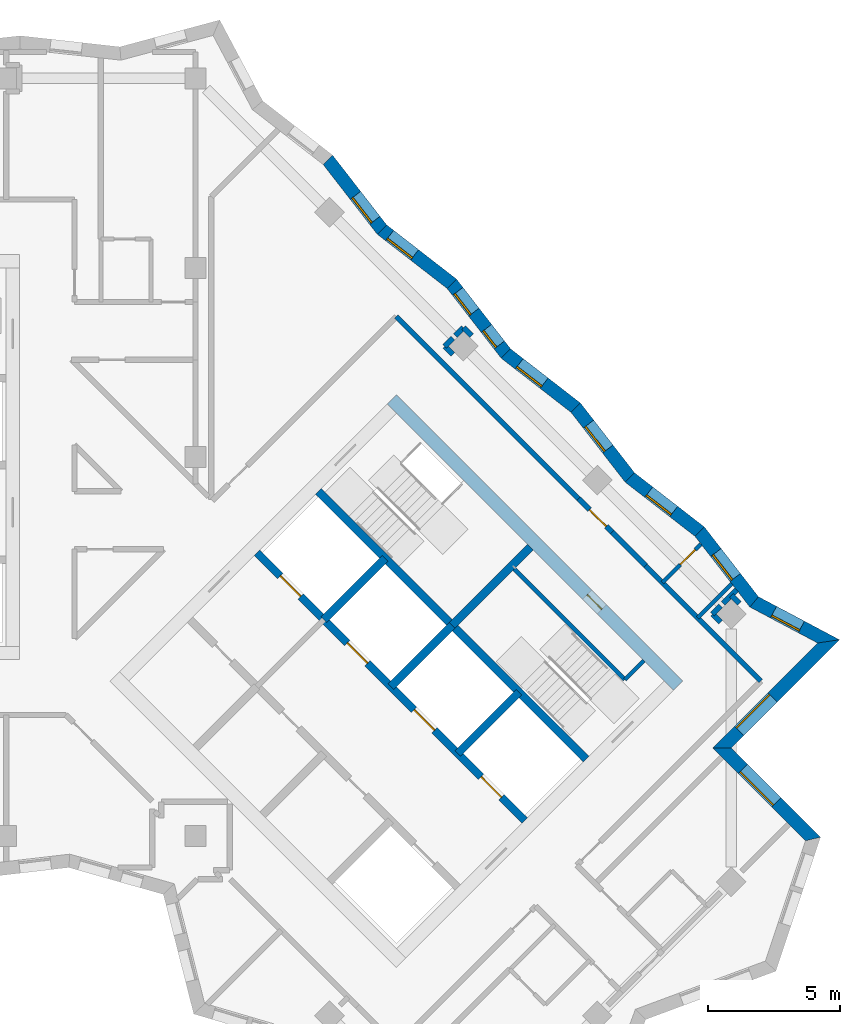
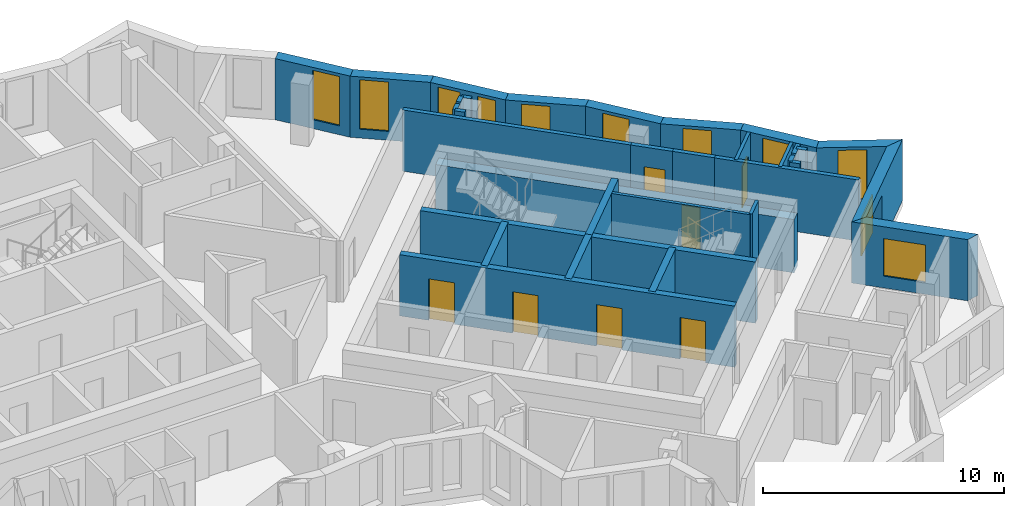
# One storey, part 9 of 13: 34 walls, 11 windows, 7 doors, 18 openings.
"""IFC4 building model written with IfcOpenShell, lengths in metres."""

from ifc_helpers import new_model, si_unit, direction, frame, frame_2d, origin, place, context, subcontext, project, spatial, polyline, rectangle, outline, extrude, material, layer, layer_set, type_object, element, fill, save


model = new_model("IFC4")

# Units and contexts
model_context = context("Model", 3, precision=1e-05, world=origin(), true_north=direction((0.0, 1.0)))
body_context = subcontext(model_context, "Body", "Model", "MODEL_VIEW")
ifc_project = project(units=[si_unit("LENGTHUNIT", "METRE"), si_unit("AREAUNIT", "SQUARE_METRE"), si_unit("VOLUMEUNIT", "CUBIC_METRE"), si_unit("PLANEANGLEUNIT", "RADIAN"), si_unit("MASSUNIT", "GRAM", prefix="KILO")], contexts=[model_context])

# Site, building, storey
site_placement = place(None, origin())
site = spatial("IfcSite", under=ifc_project, at=site_placement, CompositionType="ELEMENT")
building_placement = place(site_placement, origin())
building = spatial("IfcBuilding", under=site, at=building_placement, Name="Windrow Commons", CompositionType="ELEMENT")
storey_placement = place(building_placement, frame((0.0, 0.0, 203.2)))
storey = spatial("IfcBuildingStorey", under=building, at=storey_placement, Name="L55", CompositionType="ELEMENT", Elevation=203.2)

# Wall, opening, window
ifc_material_1 = material(Name="Brick masonry, red clay brick", Category="masonry")
ifc_layer_1 = layer(ifc_material_1, 0.5)
ifc_layer_set_1 = layer_set([ifc_layer_1], Name="Brick facade wall 500")
wall_type_1 = type_object("IfcWallType", Name="Brick facade wall 500", PredefinedType="SOLIDWALL", material=ifc_layer_set_1)
wall_1_placement = place(storey_placement, frame((102.6728, 43.0825, 0.0), z_axis=(0.0, 0.0, 1.0), x_axis=(-0.7071067812, 0.7071067812, 0.0)))
wall_1 = element("IfcWall", 1, at=wall_1_placement, inside=storey, type_object=wall_type_1, Name="Brick facade wall L55 5", PredefinedType="SOLIDWALL", context=body_context, shape_type="SweptSolid", body=[
    extrude(outline(polyline([(-0.1545, -0.25), (4.6455, -0.25), (5.1455, 0.25), (0.1545, 0.25), (-0.1545, -0.25)])), origin(), (0.0, 0.0, 1.0), 3.1),
])
opening_1_placement = place(wall_1_placement, frame((1.9705, 0.0, 0.6)))
opening_1 = element("IfcOpeningElement", 2, at=opening_1_placement, cuts=wall_1, Name="Opening W1L", PredefinedType="OPENING", context=body_context, shape_type="SweptSolid", body=[
    extrude(rectangle(XDim=1.8, YDim=1.9, at=frame_2d((0.9, 0.95))), frame((0.0, 0.26, 0.0), z_axis=(0.0, -1.0, 0.0), x_axis=(1.0, 0.0, 0.0)), (0.0, 0.0, 1.0), 0.52),
])
ifc_material_2 = material(Name="Clear float glass in anodised aluminium frame", Category="aluminium")
window_type_1 = type_object("IfcWindowType", Name="Window W1L bedroom 1800x1900", PartitioningType="SINGLE_PANEL", PredefinedType="WINDOW", material=ifc_material_2)
window_1_placement = place(opening_1_placement, origin())
window_1 = element("IfcWindow", 3, at=window_1_placement, inside=storey, type_object=window_type_1, Name="Window L55 5.1", OverallHeight=1.9, OverallWidth=1.8, PartitioningType="SINGLE_PANEL", PredefinedType="WINDOW", context=body_context, shape_type="SweptSolid", body=[
    extrude(rectangle(XDim=1.8, YDim=1.9, at=frame_2d((0.9, 0.95))), frame((0.0, 0.18, 0.0), z_axis=(0.0, -1.0, 0.0), x_axis=(1.0, 0.0, 0.0)), (0.0, 0.0, 1.0), 0.06),
])
fill(opening_1, window_1)

wall_2_placement = place(storey_placement, frame((99.2111, 46.5442, 0.0), z_axis=(0.0, 0.0, 1.0), x_axis=(0.7071067812, 0.7071067812, 0.0)))
wall_2 = element("IfcWall", 4, at=wall_2_placement, inside=storey, type_object=wall_type_1, Name="Brick facade wall L55 6", PredefinedType="SOLIDWALL", context=body_context, shape_type="SweptSolid", body=[
    extrude(outline(polyline([(0.25, -0.25), (6.071, -0.25), (5.3948, 0.25), (-0.25, 0.25), (0.25, -0.25)])), origin(), (0.0, 0.0, 1.0), 3.1),
])
opening_2_placement = place(wall_2_placement, frame((0.925, 0.0, 0.6)))
opening_2 = element("IfcOpeningElement", 5, at=opening_2_placement, cuts=wall_2, Name="Opening W1L", PredefinedType="OPENING", context=body_context, shape_type="SweptSolid", body=[
    extrude(rectangle(XDim=1.8, YDim=1.9, at=frame_2d((0.9, 0.95))), frame((0.0, 0.26, 0.0), z_axis=(0.0, -1.0, 0.0), x_axis=(1.0, 0.0, 0.0)), (0.0, 0.0, 1.0), 0.52),
])
window_2_placement = place(opening_2_placement, origin())
window_2 = element("IfcWindow", 6, at=window_2_placement, inside=storey, type_object=window_type_1, Name="Window L55 6.1", OverallHeight=1.9, OverallWidth=1.8, PartitioningType="SINGLE_PANEL", PredefinedType="WINDOW", context=body_context, shape_type="SweptSolid", body=[
    extrude(rectangle(XDim=1.8, YDim=1.9, at=frame_2d((0.9, 0.95))), frame((0.0, 0.18, 0.0), z_axis=(0.0, -1.0, 0.0), x_axis=(1.0, 0.0, 0.0)), (0.0, 0.0, 1.0), 0.06),
])
fill(opening_2, window_2)

wall_3_placement = place(storey_placement, frame((103.2649, 50.598, 0.0), z_axis=(0.0, 0.0, 1.0), x_axis=(-0.883249994, 0.4689023865, 0.0)))
wall_3 = element("IfcWall", 7, at=wall_3_placement, inside=storey, type_object=wall_type_1, Name="Brick facade wall L55 7", PredefinedType="SOLIDWALL", context=body_context, shape_type="SweptSolid", body=[
    extrude(outline(polyline([(-0.3381, -0.25), (3.1468, -0.25), (3.2542, 0.25), (0.3381, 0.25), (-0.3381, -0.25)])), origin(), (0.0, 0.0, 1.0), 3.1),
])
opening_3_placement = place(wall_3_placement, frame((1.1693, 0.0, 0.45)))
opening_3 = element("IfcOpeningElement", 8, at=opening_3_placement, cuts=wall_3, Name="Opening W7E", PredefinedType="OPENING", context=body_context, shape_type="SweptSolid", body=[
    extrude(rectangle(XDim=1.2, YDim=2.5, at=frame_2d((0.6, 1.25))), frame((0.0, 0.26, 0.0), z_axis=(0.0, -1.0, 0.0), x_axis=(1.0, 0.0, 0.0)), (0.0, 0.0, 1.0), 0.52),
])
ifc_material_3 = material(Name="Clear float glass in anodised aluminium frame", Category="aluminium")
window_type_2 = type_object("IfcWindowType", Name="Window W7 notch 1200x2500", PartitioningType="SINGLE_PANEL", PredefinedType="WINDOW", material=ifc_material_3)
window_3_placement = place(opening_3_placement, origin())
window_3 = element("IfcWindow", 9, at=window_3_placement, inside=storey, type_object=window_type_2, Name="Window L55 7.1", OverallHeight=2.5, OverallWidth=1.2, PartitioningType="SINGLE_PANEL", PredefinedType="WINDOW", context=body_context, shape_type="SweptSolid", body=[
    extrude(rectangle(XDim=1.2, YDim=2.5, at=frame_2d((0.6, 1.25))), frame((0.0, 0.18, 0.0), z_axis=(0.0, -1.0, 0.0), x_axis=(1.0, 0.0, 0.0)), (0.0, 0.0, 1.0), 0.06),
])
fill(opening_3, window_3)

wall_4_placement = place(storey_placement, frame((100.4381, 52.0987, 0.0), z_axis=(0.0, 0.0, 1.0), x_axis=(-0.6128751624, 0.7901797487, 0.0)))
wall_4 = element("IfcWall", 10, at=wall_4_placement, inside=storey, type_object=wall_type_1, Name="Brick facade wall L55 8", PredefinedType="SOLIDWALL", context=body_context, shape_type="SweptSolid", body=[
    extrude(outline(polyline([(0.0537, -0.25), (3.4122, -0.25), (3.349, 0.25), (-0.0537, 0.25), (0.0537, -0.25)])), origin(), (0.0, 0.0, 1.0), 3.1),
])
opening_4_placement = place(wall_4_placement, frame((1.1745, 0.0, 0.45)))
opening_4 = element("IfcOpeningElement", 11, at=opening_4_placement, cuts=wall_4, Name="Opening W7E", PredefinedType="OPENING", context=body_context, shape_type="SweptSolid", body=[
    extrude(rectangle(XDim=1.2, YDim=2.5, at=frame_2d((0.6, 1.25))), frame((0.0, 0.26, 0.0), z_axis=(0.0, -1.0, 0.0), x_axis=(1.0, 0.0, 0.0)), (0.0, 0.0, 1.0), 0.52),
])
window_4_placement = place(opening_4_placement, origin())
window_4 = element("IfcWindow", 12, at=window_4_placement, inside=storey, type_object=window_type_2, Name="Window L55 8.1", OverallHeight=2.5, OverallWidth=1.2, PartitioningType="SINGLE_PANEL", PredefinedType="WINDOW", context=body_context, shape_type="SweptSolid", body=[
    extrude(rectangle(XDim=1.2, YDim=2.5, at=frame_2d((0.6, 1.25))), frame((0.0, 0.18, 0.0), z_axis=(0.0, -1.0, 0.0), x_axis=(1.0, 0.0, 0.0)), (0.0, 0.0, 1.0), 0.06),
])
fill(opening_4, window_4)

wall_5_placement = place(storey_placement, frame((98.3662, 54.77, 0.0), z_axis=(0.0, 0.0, 1.0), x_axis=(-0.7901836045, 0.6128701911, 0.0)))
wall_5 = element("IfcWall", 13, at=wall_5_placement, inside=storey, type_object=wall_type_1, Name="Brick facade wall L55 9", PredefinedType="SOLIDWALL", context=body_context, shape_type="SweptSolid", body=[
    extrude(outline(polyline([(-0.0316, -0.25), (3.3269, -0.25), (3.3901, 0.25), (0.0316, 0.25), (-0.0316, -0.25)])), origin(), (0.0, 0.0, 1.0), 3.1),
])
opening_5_placement = place(wall_5_placement, frame((1.2494, 0.0, 0.45)))
opening_5 = element("IfcOpeningElement", 14, at=opening_5_placement, cuts=wall_5, Name="Opening W7E", PredefinedType="OPENING", context=body_context, shape_type="SweptSolid", body=[
    extrude(rectangle(XDim=1.2, YDim=2.5, at=frame_2d((0.6, 1.25))), frame((0.0, 0.26, 0.0), z_axis=(0.0, -1.0, 0.0), x_axis=(1.0, 0.0, 0.0)), (0.0, 0.0, 1.0), 0.52),
])
window_5_placement = place(opening_5_placement, origin())
window_5 = element("IfcWindow", 15, at=window_5_placement, inside=storey, type_object=window_type_2, Name="Window L55 9.1", OverallHeight=2.5, OverallWidth=1.2, PartitioningType="SINGLE_PANEL", PredefinedType="WINDOW", context=body_context, shape_type="SweptSolid", body=[
    extrude(rectangle(XDim=1.2, YDim=2.5, at=frame_2d((0.6, 1.25))), frame((0.0, 0.18, 0.0), z_axis=(0.0, -1.0, 0.0), x_axis=(1.0, 0.0, 0.0)), (0.0, 0.0, 1.0), 0.06),
])
fill(opening_5, window_5)

wall_6_placement = place(storey_placement, frame((95.7124, 56.8283, 0.0), z_axis=(0.0, 0.0, 1.0), x_axis=(-0.6128887822, 0.7901691849, 0.0)))
wall_6 = element("IfcWall", 16, at=wall_6_placement, inside=storey, type_object=wall_type_1, Name="Brick facade wall L55 10", PredefinedType="SOLIDWALL", context=body_context, shape_type="SweptSolid", body=[
    extrude(outline(polyline([(0.0316, -0.25), (3.3901, -0.25), (3.3269, 0.25), (-0.0316, 0.25), (0.0316, -0.25)])), origin(), (0.0, 0.0, 1.0), 3.1),
])
opening_6_placement = place(wall_6_placement, frame((1.3686, 0.0, 0.45)))
opening_6 = element("IfcOpeningElement", 17, at=opening_6_placement, cuts=wall_6, Name="Opening W7E", PredefinedType="OPENING", context=body_context, shape_type="SweptSolid", body=[
    extrude(rectangle(XDim=1.2, YDim=2.5, at=frame_2d((0.6, 1.25))), frame((0.0, 0.26, 0.0), z_axis=(0.0, -1.0, 0.0), x_axis=(1.0, 0.0, 0.0)), (0.0, 0.0, 1.0), 0.52),
])
window_6_placement = place(opening_6_placement, origin())
window_6 = element("IfcWindow", 18, at=window_6_placement, inside=storey, type_object=window_type_2, Name="Window L55 10.1", OverallHeight=2.5, OverallWidth=1.2, PartitioningType="SINGLE_PANEL", PredefinedType="WINDOW", context=body_context, shape_type="SweptSolid", body=[
    extrude(rectangle(XDim=1.2, YDim=2.5, at=frame_2d((0.6, 1.25))), frame((0.0, 0.18, 0.0), z_axis=(0.0, -1.0, 0.0), x_axis=(1.0, 0.0, 0.0)), (0.0, 0.0, 1.0), 0.06),
])
fill(opening_6, window_6)

wall_7_placement = place(storey_placement, frame((93.654, 59.4821, 0.0), z_axis=(0.0, 0.0, 1.0), x_axis=(-0.7901691849, 0.6128887822, 0.0)))
wall_7 = element("IfcWall", 19, at=wall_7_placement, inside=storey, type_object=wall_type_1, Name="Brick facade wall L55 11", PredefinedType="SOLIDWALL", context=body_context, shape_type="SweptSolid", body=[
    extrude(outline(polyline([(-0.0316, -0.25), (3.3269, -0.25), (3.3901, 0.25), (0.0316, 0.25), (-0.0316, -0.25)])), origin(), (0.0, 0.0, 1.0), 3.1),
])
opening_7_placement = place(wall_7_placement, frame((1.5195, 0.0, 0.45)))
opening_7 = element("IfcOpeningElement", 20, at=opening_7_placement, cuts=wall_7, Name="Opening W7E", PredefinedType="OPENING", context=body_context, shape_type="SweptSolid", body=[
    extrude(rectangle(XDim=1.2, YDim=2.5, at=frame_2d((0.6, 1.25))), frame((0.0, 0.26, 0.0), z_axis=(0.0, -1.0, 0.0), x_axis=(1.0, 0.0, 0.0)), (0.0, 0.0, 1.0), 0.52),
])
window_7_placement = place(opening_7_placement, origin())
window_7 = element("IfcWindow", 21, at=window_7_placement, inside=storey, type_object=window_type_2, Name="Window L55 11.1", OverallHeight=2.5, OverallWidth=1.2, PartitioningType="SINGLE_PANEL", PredefinedType="WINDOW", context=body_context, shape_type="SweptSolid", body=[
    extrude(rectangle(XDim=1.2, YDim=2.5, at=frame_2d((0.6, 1.25))), frame((0.0, 0.18, 0.0), z_axis=(0.0, -1.0, 0.0), x_axis=(1.0, 0.0, 0.0)), (0.0, 0.0, 1.0), 0.06),
])
fill(opening_7, window_7)

# Wall, openings, windows
wall_8_placement = place(storey_placement, frame((91.0002, 61.5405, 0.0), z_axis=(0.0, 0.0, 1.0), x_axis=(-0.6128701911, 0.7901836045, 0.0)))
wall_8 = element("IfcWall", 22, at=wall_8_placement, inside=storey, type_object=wall_type_1, Name="Brick facade wall L55 12", PredefinedType="SOLIDWALL", context=body_context, shape_type="SweptSolid", body=[
    extrude(outline(polyline([(0.0316, -0.25), (3.3901, -0.25), (3.3269, 0.25), (-0.0316, 0.25), (0.0316, -0.25)])), origin(), (0.0, 0.0, 1.0), 3.1),
])
opening_8_placement = place(wall_8_placement, frame((0.4105, 0.0, 0.45)))
opening_8 = element("IfcOpeningElement", 23, at=opening_8_placement, cuts=wall_8, Name="Opening W1N", PredefinedType="OPENING", context=body_context, shape_type="SweptSolid", body=[
    extrude(rectangle(XDim=0.8, YDim=2.5, at=frame_2d((0.4, 1.25))), frame((0.0, 0.26, 0.0), z_axis=(0.0, -1.0, 0.0), x_axis=(1.0, 0.0, 0.0)), (0.0, 0.0, 1.0), 0.52),
])
opening_9_placement = place(wall_8_placement, frame((1.9897, 0.0, 0.45)))
opening_9 = element("IfcOpeningElement", 24, at=opening_9_placement, cuts=wall_8, Name="Opening W1S", PredefinedType="OPENING", context=body_context, shape_type="SweptSolid", body=[
    extrude(rectangle(XDim=1.0, YDim=2.5, at=frame_2d((0.5, 1.25))), frame((0.0, 0.26, 0.0), z_axis=(0.0, -1.0, 0.0), x_axis=(1.0, 0.0, 0.0)), (0.0, 0.0, 1.0), 0.52),
])
ifc_material_4 = material(Name="Clear float glass in anodised aluminium frame", Category="aluminium")
window_type_3 = type_object("IfcWindowType", Name="Window W1N slit 800x2500", PartitioningType="SINGLE_PANEL", PredefinedType="WINDOW", material=ifc_material_4)
window_8_placement = place(opening_8_placement, origin())
window_8 = element("IfcWindow", 25, at=window_8_placement, inside=storey, type_object=window_type_3, Name="Window L55 12.1A", OverallHeight=2.5, OverallWidth=0.8, PartitioningType="SINGLE_PANEL", PredefinedType="WINDOW", context=body_context, shape_type="SweptSolid", body=[
    extrude(rectangle(XDim=0.8, YDim=2.5, at=frame_2d((0.4, 1.25))), frame((0.0, 0.18, 0.0), z_axis=(0.0, -1.0, 0.0), x_axis=(1.0, 0.0, 0.0)), (0.0, 0.0, 1.0), 0.06),
])
fill(opening_8, window_8)
ifc_material_5 = material(Name="Clear float glass in anodised aluminium frame", Category="aluminium")
window_type_4 = type_object("IfcWindowType", Name="Window W1S slit 1000x2500", PartitioningType="SINGLE_PANEL", PredefinedType="WINDOW", material=ifc_material_5)
window_9_placement = place(opening_9_placement, origin())
window_9 = element("IfcWindow", 26, at=window_9_placement, inside=storey, type_object=window_type_4, Name="Window L55 12.1B", OverallHeight=2.5, OverallWidth=1.0, PartitioningType="SINGLE_PANEL", PredefinedType="WINDOW", context=body_context, shape_type="SweptSolid", body=[
    extrude(rectangle(XDim=1.0, YDim=2.5, at=frame_2d((0.5, 1.25))), frame((0.0, 0.18, 0.0), z_axis=(0.0, -1.0, 0.0), x_axis=(1.0, 0.0, 0.0)), (0.0, 0.0, 1.0), 0.06),
])
fill(opening_9, window_9)

# Wall, opening, window
wall_9_placement = place(storey_placement, frame((88.9419, 64.1943, 0.0), z_axis=(0.0, 0.0, 1.0), x_axis=(-0.7901836045, 0.6128701911, 0.0)))
wall_9 = element("IfcWall", 27, at=wall_9_placement, inside=storey, type_object=wall_type_1, Name="Brick facade wall L55 13", PredefinedType="SOLIDWALL", context=body_context, shape_type="SweptSolid", body=[
    extrude(outline(polyline([(-0.0316, -0.25), (3.3269, -0.25), (3.3901, 0.25), (0.0316, 0.25), (-0.0316, -0.25)])), origin(), (0.0, 0.0, 1.0), 3.1),
])
opening_10_placement = place(wall_9_placement, frame((1.7897, 0.0, 0.45)))
opening_10 = element("IfcOpeningElement", 28, at=opening_10_placement, cuts=wall_9, Name="Opening W7E", PredefinedType="OPENING", context=body_context, shape_type="SweptSolid", body=[
    extrude(rectangle(XDim=1.2, YDim=2.5, at=frame_2d((0.6, 1.25))), frame((0.0, 0.26, 0.0), z_axis=(0.0, -1.0, 0.0), x_axis=(1.0, 0.0, 0.0)), (0.0, 0.0, 1.0), 0.52),
])
window_10_placement = place(opening_10_placement, origin())
window_10 = element("IfcWindow", 29, at=window_10_placement, inside=storey, type_object=window_type_2, Name="Window L55 13.1", OverallHeight=2.5, OverallWidth=1.2, PartitioningType="SINGLE_PANEL", PredefinedType="WINDOW", context=body_context, shape_type="SweptSolid", body=[
    extrude(rectangle(XDim=1.2, YDim=2.5, at=frame_2d((0.6, 1.25))), frame((0.0, 0.18, 0.0), z_axis=(0.0, -1.0, 0.0), x_axis=(1.0, 0.0, 0.0)), (0.0, 0.0, 1.0), 0.06),
])
fill(opening_10, window_10)

wall_10_placement = place(storey_placement, frame((86.2881, 66.2526, 0.0), z_axis=(0.0, 0.0, 1.0), x_axis=(-0.6128887822, 0.7901691849, 0.0)))
wall_10 = element("IfcWall", 30, at=wall_10_placement, inside=storey, type_object=wall_type_1, Name="Brick facade wall L55 14", PredefinedType="SOLIDWALL", context=body_context, shape_type="SweptSolid", body=[
    extrude(outline(polyline([(0.0316, -0.25), (3.3901, -0.25), (3.3269, 0.25), (-0.0316, 0.25), (0.0316, -0.25)])), origin(), (0.0, 0.0, 1.0), 3.1),
])
opening_11_placement = place(wall_10_placement, frame((0.4455, 0.0, 0.45)))
opening_11 = element("IfcOpeningElement", 31, at=opening_11_placement, cuts=wall_10, Name="Opening W7E", PredefinedType="OPENING", context=body_context, shape_type="SweptSolid", body=[
    extrude(rectangle(XDim=1.2, YDim=2.5, at=frame_2d((0.6, 1.25))), frame((0.0, 0.26, 0.0), z_axis=(0.0, -1.0, 0.0), x_axis=(1.0, 0.0, 0.0)), (0.0, 0.0, 1.0), 0.52),
])
window_11_placement = place(opening_11_placement, origin())
window_11 = element("IfcWindow", 32, at=window_11_placement, inside=storey, type_object=window_type_2, Name="Window L55 14.1", OverallHeight=2.5, OverallWidth=1.2, PartitioningType="SINGLE_PANEL", PredefinedType="WINDOW", context=body_context, shape_type="SweptSolid", body=[
    extrude(rectangle(XDim=1.2, YDim=2.5, at=frame_2d((0.6, 1.25))), frame((0.0, 0.18, 0.0), z_axis=(0.0, -1.0, 0.0), x_axis=(1.0, 0.0, 0.0)), (0.0, 0.0, 1.0), 0.06),
])
fill(opening_11, window_11)

# Walls
ifc_material_6 = material(Name="Blockwork partition", Category="masonry")
ifc_layer_2 = layer(ifc_material_6, 0.2)
ifc_layer_set_2 = layer_set([ifc_layer_2], Name="IW-CORRIDOR-200")
wall_type_2 = type_object("IfcWallType", Name="IW-CORRIDOR-200", PredefinedType="PARTITIONING", material=ifc_layer_set_2)
wall_11_placement = place(storey_placement, frame((86.8347, 62.9447, 0.0), z_axis=(0.0, 0.0, 1.0), x_axis=(0.7071067812, -0.7071067812, 0.0)))
element("IfcWall", 33, at=wall_11_placement, inside=storey, type_object=wall_type_2, Name="W-L55-W011", PredefinedType="PARTITIONING", context=body_context, shape_type="SweptSolid", body=[
    extrude(rectangle(XDim=9.7977, YDim=0.2, at=frame_2d((4.8989, 0.0))), origin(), (0.0, 0.0, 1.0), 3.1),
])
wall_12_placement = place(storey_placement, frame((96.3087, 53.4707, 0.0), z_axis=(0.0, 0.0, 1.0), x_axis=(0.7071067812, -0.7071067812, 0.0)))
element("IfcWall", 34, at=wall_12_placement, inside=storey, type_object=wall_type_2, Name="W-L55-W025", PredefinedType="PARTITIONING", context=body_context, shape_type="SweptSolid", body=[
    extrude(rectangle(XDim=6.1999, YDim=0.2, at=frame_2d((3.1, 0.0))), origin(), (0.0, 0.0, 1.0), 3.1),
])

# Wall, opening, door
wall_13_placement = place(storey_placement, frame((93.7634, 56.0174, 0.0), z_axis=(0.0, 0.0, 1.0), x_axis=(0.7076620277, -0.7065510983, 0.0)))
wall_13 = element("IfcWall", 35, at=wall_13_placement, inside=storey, type_object=wall_type_2, Name="W-L55-W122", PredefinedType="PARTITIONING", context=body_context, shape_type="SweptSolid", body=[
    extrude(rectangle(XDim=1.8003, YDim=0.2, at=frame_2d((0.9002, 0.0))), origin(), (0.0, 0.0, 1.0), 3.1),
])
opening_12_placement = place(wall_13_placement, frame((0.5851, 0.0, 0.0)))
opening_12 = element("IfcOpeningElement", 36, at=opening_12_placement, cuts=wall_13, Name="Opening D109F", PredefinedType="OPENING", context=body_context, shape_type="SweptSolid", body=[
    extrude(rectangle(XDim=0.9, YDim=2.1, at=frame_2d((0.45, 1.05))), frame((0.0, 0.11, 0.0), z_axis=(0.0, -1.0, 0.0), x_axis=(1.0, 0.0, 0.0)), (0.0, 0.0, 1.0), 0.22),
])
ifc_material_7 = material(Name="Timber door leaf", Category="wood")
door_type_1 = type_object("IfcDoorType", Name="DT-BEDROOM-900", OperationType="SINGLE_SWING_LEFT", PredefinedType="DOOR", material=ifc_material_7)
door_1_placement = place(opening_12_placement, origin())
door_1 = element("IfcDoor", 37, at=door_1_placement, inside=storey, type_object=door_type_1, Name="D-L55-D044", OperationType="SINGLE_SWING_LEFT", OverallHeight=2.1, OverallWidth=0.9, PredefinedType="DOOR", context=body_context, shape_type="SweptSolid", body=[
    extrude(rectangle(XDim=0.9, YDim=2.1, at=frame_2d((0.45, 1.05))), frame((0.0, 0.025, 0.0), z_axis=(0.0, -1.0, 0.0), x_axis=(1.0, 0.0, 0.0)), (0.0, 0.0, 1.0), 0.05),
])
fill(opening_12, door_1)

# Wall
wall_14_placement = place(storey_placement, frame((95.0411, 54.7491, 0.0), z_axis=(0.0, 0.0, 1.0), x_axis=(0.7065510983, -0.7076620277, 0.0)))
element("IfcWall", 38, at=wall_14_placement, inside=storey, type_object=wall_type_2, Name="W-L55-W123", PredefinedType="PARTITIONING", context=body_context, shape_type="SweptSolid", body=[
    extrude(rectangle(XDim=1.8003, YDim=0.2, at=frame_2d((0.9002, 0.0))), origin(), (0.0, 0.0, 1.0), 3.1),
])

# Wall, opening, door
ifc_material_8 = material(Name="Blockwork partition", Category="masonry")
ifc_layer_3 = layer(ifc_material_8, 0.15)
ifc_layer_set_3 = layer_set([ifc_layer_3], Name="IW-ENSUITE-150")
wall_type_3 = type_object("IfcWallType", Name="IW-ENSUITE-150", PredefinedType="PARTITIONING", material=ifc_layer_set_3)
wall_15_placement = place(storey_placement, frame((96.9477, 52.8383, 0.0), z_axis=(0.0, 0.0, 1.0), x_axis=(0.7070826384, 0.7071309232, 0.0)))
wall_15 = element("IfcWall", 39, at=wall_15_placement, inside=storey, type_object=wall_type_3, Name="W-L55-W107", PredefinedType="PARTITIONING", context=body_context, shape_type="SweptSolid", body=[
    extrude(rectangle(XDim=2.071, YDim=0.15, at=frame_2d((1.0355, 0.0))), origin(), (0.0, 0.0, 1.0), 3.1),
])
opening_13_placement = place(wall_15_placement, frame((0.9647, 0.0, 0.0)))
opening_13 = element("IfcOpeningElement", 40, at=opening_13_placement, cuts=wall_15, Name="Opening D208N", PredefinedType="OPENING", context=body_context, shape_type="SweptSolid", body=[
    extrude(rectangle(XDim=0.8, YDim=2.1, at=frame_2d((0.4, 1.05))), frame((0.0, 0.085, 0.0), z_axis=(0.0, -1.0, 0.0), x_axis=(1.0, 0.0, 0.0)), (0.0, 0.0, 1.0), 0.17),
])
ifc_material_9 = material(Name="Timber door leaf", Category="wood")
door_type_2 = type_object("IfcDoorType", Name="DT-ENSUITE-800", OperationType="SINGLE_SWING_LEFT", PredefinedType="DOOR", material=ifc_material_9)
door_2_placement = place(opening_13_placement, origin())
door_2 = element("IfcDoor", 41, at=door_2_placement, inside=storey, type_object=door_type_2, Name="D-L55-D045", OperationType="SINGLE_SWING_RIGHT", OverallHeight=2.1, OverallWidth=0.8, PredefinedType="DOOR", context=body_context, shape_type="SweptSolid", body=[
    extrude(rectangle(XDim=0.8, YDim=2.1, at=frame_2d((0.4, 1.05))), frame((0.0, 0.025, 0.0), z_axis=(0.0, -1.0, 0.0), x_axis=(1.0, 0.0, 0.0)), (0.0, 0.0, 1.0), 0.05),
])
fill(opening_13, door_2)

# Walls
wall_16_placement = place(storey_placement, frame((98.2912, 51.4948, 0.0), z_axis=(0.0, 0.0, 1.0), x_axis=(0.7071067812, 0.7071067812, 0.0)))
element("IfcWall", 42, at=wall_16_placement, inside=storey, type_object=wall_type_3, Name="W-L55-W128", PredefinedType="PARTITIONING", context=body_context, shape_type="SweptSolid", body=[
    extrude(rectangle(XDim=1.831, YDim=0.15, at=frame_2d((0.9155, 0.0))), origin(), (0.0, 0.0, 1.0), 3.1),
])
ifc_material_10 = material(Name="Blockwork partition", Category="masonry")
ifc_layer_4 = layer(ifc_material_10, 0.2)
ifc_layer_set_4 = layer_set([ifc_layer_4], Name="IW-PARTY-200")
wall_type_4 = type_object("IfcWallType", Name="IW-PARTY-200", PredefinedType="PARTITIONING", material=ifc_layer_set_4)
for number, where, z_axis, x_axis, name in (
    (43, (98.8533, 51.6327, 0.0), (0.0, 0.0, 1.0), (0.7071067812, 0.7071067812, 0.0), "W-L55-W171"),
    (44, (88.671, 61.815, 0.0), (0.0, 0.0, 1.0), (0.7071067812, 0.7071067812, 0.0), "W-L55-W172"),
    (45, (88.6722, 61.8142, 0.0), (0.0, 0.0, 1.0), (0.7071067812, -0.7071067812, 0.0), "W-L55-W173"),
    (46, (98.8542, 51.6322, 0.0), (0.0, 0.0, 1.0), (0.7071067812, -0.7071067812, 0.0), "W-L55-W174"),
    (47, (99.5684, 52.3464, 0.0), (0.0, 0.0, 1.0), (0.7071067812, -0.7071067812, 0.0), "W-L55-W175"),
    (48, (89.3864, 62.5284, 0.0), (0.0, 0.0, 1.0), (0.7071067812, -0.7071067812, 0.0), "W-L55-W176"),
    (49, (89.075, 62.219, 0.0), (0.0, 0.0, 1.0), (0.7071067812, 0.7071067812, 0.0), "W-L55-W177"),
):
    element("IfcWall", number, at=place(storey_placement, frame(where, z_axis=z_axis, x_axis=x_axis)), inside=storey, type_object=wall_type_4, Name=name, PredefinedType="PARTITIONING", context=body_context, shape_type="SweptSolid", body=[
        extrude(rectangle(XDim=0.4384, YDim=0.2, at=frame_2d((0.2192, 0.0))), origin(), (0.0, 0.0, 1.0), 3.1),
    ])
wall_17_placement = place(storey_placement, frame((99.2573, 52.0367, 0.0), z_axis=(0.0, 0.0, 1.0), x_axis=(0.7071067812, 0.7071067812, 0.0)))
element("IfcWall", 50, at=wall_17_placement, inside=storey, type_object=wall_type_4, Name="W-L55-W178", PredefinedType="PARTITIONING", context=body_context, shape_type="SweptSolid", body=[
    extrude(rectangle(XDim=0.7268, YDim=0.2, at=frame_2d((0.3634, 0.0))), origin(), (0.0, 0.0, 1.0), 3.1),
])

# Wall, opening, door
ifc_material_11 = material(Name="Concrete C40/50", Category="concrete")
ifc_layer_5 = layer(ifc_material_11, 0.5)
ifc_layer_set_5 = layer_set([ifc_layer_5], Name="RC CORE WALL 500 C40/50")
wall_type_5 = type_object("IfcWallType", Name="RC CORE WALL 500 C40/50", PredefinedType="SHEAR", material=ifc_layer_set_5)
wall_18_placement = place(storey_placement, frame((86.66, 59.8024, -0.3), z_axis=(0.0, 0.0, 1.0), x_axis=(0.7071067812, -0.7071067812, 0.0)))
wall_18 = element("IfcWall", 51, at=wall_18_placement, inside=storey, type_object=wall_type_5, Name="Core B wall outer-N", PredefinedType="SHEAR", context=body_context, shape_type="SweptSolid", body=[
    extrude(rectangle(XDim=15.3999, YDim=0.5, at=frame_2d((7.7, 0.0))), origin(), (0.0, 0.0, 1.0), 2.7),
])
opening_14_placement = place(wall_18_placement, frame((10.5, 0.0, 0.3)))
opening_14 = element("IfcOpeningElement", 52, at=opening_14_placement, cuts=wall_18, Name="Opening D9", PredefinedType="OPENING", context=body_context, shape_type="SweptSolid", body=[
    extrude(rectangle(XDim=0.8, YDim=2.1, at=frame_2d((0.4, 1.05))), frame((0.0, 0.26, 0.0), z_axis=(0.0, -1.0, 0.0), x_axis=(1.0, 0.0, 0.0)), (0.0, 0.0, 1.0), 0.52),
])
ifc_material_12 = material(Name="Steel fire door leaf", Category="steel")
door_type_3 = type_object("IfcDoorType", Name="Riser access door 800", OperationType="SINGLE_SWING_LEFT", PredefinedType="DOOR", material=ifc_material_12)
door_3_placement = place(opening_14_placement, origin())
door_3 = element("IfcDoor", 53, at=door_3_placement, inside=storey, type_object=door_type_3, Name="Riser access door", OperationType="SINGLE_SWING_RIGHT", OverallHeight=2.1, OverallWidth=0.8, PredefinedType="DOOR", context=body_context, shape_type="SweptSolid", body=[
    extrude(rectangle(XDim=0.8, YDim=2.1, at=frame_2d((0.4, 1.05))), frame((0.0, 0.025, 0.0), z_axis=(0.0, -1.0, 0.0), x_axis=(1.0, 0.0, 0.0)), (0.0, 0.0, 1.0), 0.05),
])
fill(opening_14, door_3)

# Walls
ifc_material_13 = material(Name="Concrete C40/50", Category="concrete")
ifc_layer_6 = layer(ifc_material_13, 0.3)
ifc_layer_set_6 = layer_set([ifc_layer_6], Name="RC SHAFT WALL 300 C40/50")
wall_type_6 = type_object("IfcWallType", Name="RC SHAFT WALL 300 C40/50", PredefinedType="SOLIDWALL", material=ifc_layer_set_6)
wall_19_placement = place(storey_placement, frame((84.079, 51.4232, 0.0), z_axis=(0.0, 0.0, 1.0), x_axis=(0.7071219326, 0.7070916295, 0.0)))
element("IfcWall", 54, at=wall_19_placement, inside=storey, type_object=wall_type_6, Name="Core B wall shaft-N1", PredefinedType="SOLIDWALL", context=body_context, shape_type="SweptSolid", body=[
    extrude(rectangle(XDim=3.3, YDim=0.3, at=frame_2d((1.65, 0.0))), origin(), (0.0, 0.0, 1.0), 3.1),
])
for number, where, z_axis, x_axis, name in (
    (55, (86.6246, 48.8776, 0.0), (0.0, 0.0, 1.0), (0.7071067812, 0.7071067812, 0.0), "Core B wall shaft-N2"),
    (56, (89.1702, 46.332, 0.0), (0.0, 0.0, 1.0), (0.7071067812, 0.7071067812, 0.0), "Core B wall shaft-N3"),
):
    element("IfcWall", number, at=place(storey_placement, frame(where, z_axis=z_axis, x_axis=x_axis)), inside=storey, type_object=wall_type_6, Name=name, PredefinedType="SOLIDWALL", context=body_context, shape_type="SweptSolid", body=[
        extrude(rectangle(XDim=3.3001, YDim=0.3, at=frame_2d((1.6501, 0.0))), origin(), (0.0, 0.0, 1.0), 3.1),
    ])

# Wall, openings, doors
wall_20_placement = place(storey_placement, frame((81.5335, 53.9688, 0.0), z_axis=(0.0, 0.0, 1.0), x_axis=(0.707103309, -0.7071102534, 0.0)))
wall_20 = element("IfcWall", 57, at=wall_20_placement, inside=storey, type_object=wall_type_6, Name="Core B wall lobby-N", PredefinedType="SOLIDWALL", context=body_context, shape_type="SweptSolid", body=[
    extrude(rectangle(XDim=14.4, YDim=0.3, at=frame_2d((7.2, 0.0))), origin(), (0.0, 0.0, 1.0), 3.1),
])
opening_15_placement = place(wall_20_placement, frame((1.25, 0.0, 0.0)))
opening_15 = element("IfcOpeningElement", 58, at=opening_15_placement, cuts=wall_20, Name="Opening LD", PredefinedType="OPENING", context=body_context, shape_type="SweptSolid", body=[
    extrude(rectangle(XDim=1.1, YDim=2.1, at=frame_2d((0.55, 1.05))), frame((0.0, 0.16, 0.0), z_axis=(0.0, -1.0, 0.0), x_axis=(1.0, 0.0, 0.0)), (0.0, 0.0, 1.0), 0.32),
])
opening_16_placement = place(wall_20_placement, frame((4.85, 0.0, 0.0)))
opening_16 = element("IfcOpeningElement", 59, at=opening_16_placement, cuts=wall_20, Name="Opening LD", PredefinedType="OPENING", context=body_context, shape_type="SweptSolid", body=[
    extrude(rectangle(XDim=1.1, YDim=2.1, at=frame_2d((0.55, 1.05))), frame((0.0, 0.16, 0.0), z_axis=(0.0, -1.0, 0.0), x_axis=(1.0, 0.0, 0.0)), (0.0, 0.0, 1.0), 0.32),
])
opening_17_placement = place(wall_20_placement, frame((8.45, 0.0, 0.0)))
opening_17 = element("IfcOpeningElement", 60, at=opening_17_placement, cuts=wall_20, Name="Opening LD", PredefinedType="OPENING", context=body_context, shape_type="SweptSolid", body=[
    extrude(rectangle(XDim=1.1, YDim=2.1, at=frame_2d((0.55, 1.05))), frame((0.0, 0.16, 0.0), z_axis=(0.0, -1.0, 0.0), x_axis=(1.0, 0.0, 0.0)), (0.0, 0.0, 1.0), 0.32),
])
opening_18_placement = place(wall_20_placement, frame((12.05, 0.0, 0.0)))
opening_18 = element("IfcOpeningElement", 61, at=opening_18_placement, cuts=wall_20, Name="Opening LD", PredefinedType="OPENING", context=body_context, shape_type="SweptSolid", body=[
    extrude(rectangle(XDim=1.1, YDim=2.1, at=frame_2d((0.55, 1.05))), frame((0.0, 0.16, 0.0), z_axis=(0.0, -1.0, 0.0), x_axis=(1.0, 0.0, 0.0)), (0.0, 0.0, 1.0), 0.32),
])
ifc_material_14 = material(Name="Stainless steel door leaf", Category="steel")
door_type_4 = type_object("IfcDoorType", Name="Lift landing door 1100", OperationType="SLIDING_TO_LEFT", PredefinedType="DOOR", material=ifc_material_14)
door_4_placement = place(opening_15_placement, origin())
door_4 = element("IfcDoor", 62, at=door_4_placement, inside=storey, type_object=door_type_4, Name="Lift landing door", OperationType="SLIDING_TO_LEFT", OverallHeight=2.1, OverallWidth=1.1, PredefinedType="DOOR", context=body_context, shape_type="SweptSolid", body=[
    extrude(rectangle(XDim=1.1, YDim=2.1, at=frame_2d((0.55, 1.05))), frame((0.0, 0.025, 0.0), z_axis=(0.0, -1.0, 0.0), x_axis=(1.0, 0.0, 0.0)), (0.0, 0.0, 1.0), 0.05),
])
fill(opening_15, door_4)
door_5_placement = place(opening_16_placement, origin())
door_5 = element("IfcDoor", 63, at=door_5_placement, inside=storey, type_object=door_type_4, Name="Lift landing door", OperationType="SLIDING_TO_RIGHT", OverallHeight=2.1, OverallWidth=1.1, PredefinedType="DOOR", context=body_context, shape_type="SweptSolid", body=[
    extrude(rectangle(XDim=1.1, YDim=2.1, at=frame_2d((0.55, 1.05))), frame((0.0, 0.025, 0.0), z_axis=(0.0, -1.0, 0.0), x_axis=(1.0, 0.0, 0.0)), (0.0, 0.0, 1.0), 0.05),
])
fill(opening_16, door_5)
door_6_placement = place(opening_17_placement, origin())
door_6 = element("IfcDoor", 64, at=door_6_placement, inside=storey, type_object=door_type_4, Name="Lift landing door", OperationType="SLIDING_TO_LEFT", OverallHeight=2.1, OverallWidth=1.1, PredefinedType="DOOR", context=body_context, shape_type="SweptSolid", body=[
    extrude(rectangle(XDim=1.1, YDim=2.1, at=frame_2d((0.55, 1.05))), frame((0.0, 0.025, 0.0), z_axis=(0.0, -1.0, 0.0), x_axis=(1.0, 0.0, 0.0)), (0.0, 0.0, 1.0), 0.05),
])
fill(opening_17, door_6)
door_7_placement = place(opening_18_placement, origin())
door_7 = element("IfcDoor", 65, at=door_7_placement, inside=storey, type_object=door_type_4, Name="Lift landing door", OperationType="SLIDING_TO_RIGHT", OverallHeight=2.1, OverallWidth=1.1, PredefinedType="DOOR", context=body_context, shape_type="SweptSolid", body=[
    extrude(rectangle(XDim=1.1, YDim=2.1, at=frame_2d((0.55, 1.05))), frame((0.0, 0.025, 0.0), z_axis=(0.0, -1.0, 0.0), x_axis=(1.0, 0.0, 0.0)), (0.0, 0.0, 1.0), 0.05),
])
fill(opening_18, door_7)

# Walls
for number, where, z_axis, x_axis, name in (
    (66, (83.8669, 56.3022, 0.0), (0.0, 0.0, 1.0), (0.7071137256, -0.7070998367, 0.0), "Core B wall stair-S"),
    (67, (88.9581, 51.2111, 0.0), (0.0, 0.0, 1.0), (0.7070998367, -0.7071137256, 0.0), "Core B wall stair-S2"),
):
    element("IfcWall", number, at=place(storey_placement, frame(where, z_axis=z_axis, x_axis=x_axis)), inside=storey, type_object=wall_type_6, Name=name, PredefinedType="SOLIDWALL", context=body_context, shape_type="SweptSolid", body=[
        extrude(rectangle(XDim=7.2, YDim=0.3, at=frame_2d((3.6, 0.0))), origin(), (0.0, 0.0, 1.0), 3.1),
    ])
wall_21_placement = place(storey_placement, frame((88.9581, 51.2111, 0.0), z_axis=(0.0, 0.0, 1.0), x_axis=(0.7071067812, 0.7071067812, 0.0)))
element("IfcWall", 68, at=wall_21_placement, inside=storey, type_object=wall_type_6, Name="Core B wall stair-mid", PredefinedType="SOLIDWALL", context=body_context, shape_type="SweptSolid", body=[
    extrude(rectangle(XDim=4.1999, YDim=0.3, at=frame_2d((2.1, 0.0))), origin(), (0.0, 0.0, 1.0), 3.1),
])
ifc_material_15 = material(Name="Blockwork partition", Category="masonry")
ifc_layer_7 = layer(ifc_material_15, 0.15)
ifc_layer_set_7 = layer_set([ifc_layer_7], Name="Riser partition 150")
wall_type_7 = type_object("IfcWallType", Name="Riser partition 150", PredefinedType="PARTITIONING", material=ifc_layer_set_7)
wall_22_placement = place(storey_placement, frame((91.3127, 53.3536, 0.0), z_axis=(0.0, 0.0, 1.0), x_axis=(0.7071067812, -0.7071067812, 0.0)))
element("IfcWall", 69, at=wall_22_placement, inside=storey, type_object=wall_type_7, Name="W-core-strip-B-L55", PredefinedType="PARTITIONING", context=body_context, shape_type="SweptSolid", body=[
    extrude(rectangle(XDim=5.95, YDim=0.15, at=frame_2d((2.975, 0.0))), origin(), (0.0, 0.0, 1.0), 3.1),
])
wall_23_placement = place(storey_placement, frame((95.52, 49.1463, 0.0), z_axis=(0.0, 0.0, 1.0), x_axis=(0.7071067812, 0.7071067812, 0.0)))
element("IfcWall", 70, at=wall_23_placement, inside=storey, type_object=wall_type_7, Name="W-core-stripx-B-L55-1", PredefinedType="PARTITIONING", context=body_context, shape_type="SweptSolid", body=[
    extrude(rectangle(XDim=1.0201, YDim=0.15, at=frame_2d((0.5101, 0.0))), origin(), (0.0, 0.0, 1.0), 3.1),
])

save(model, "model.ifc")
